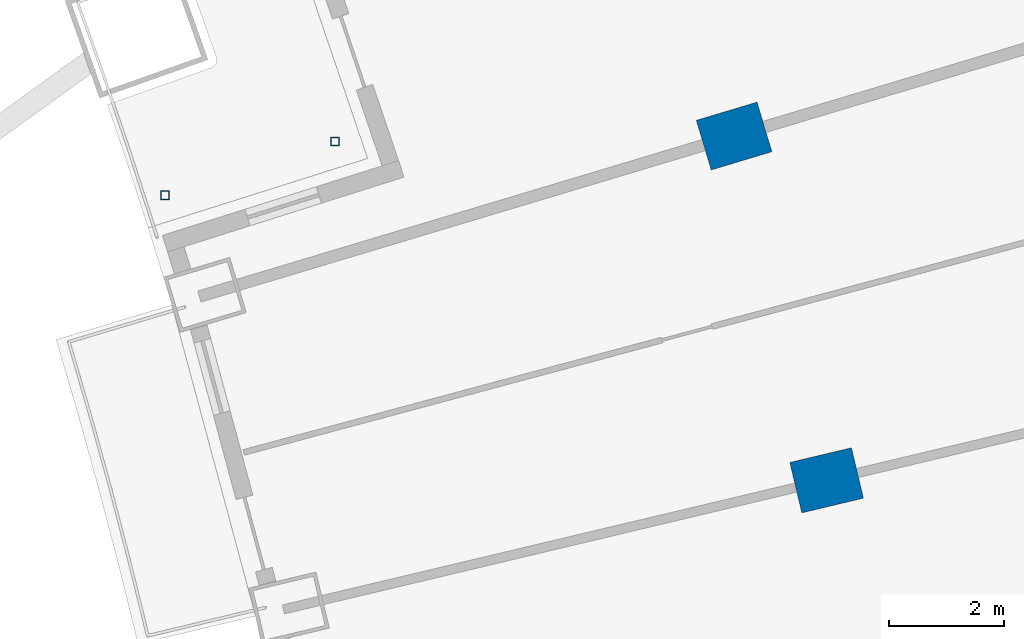
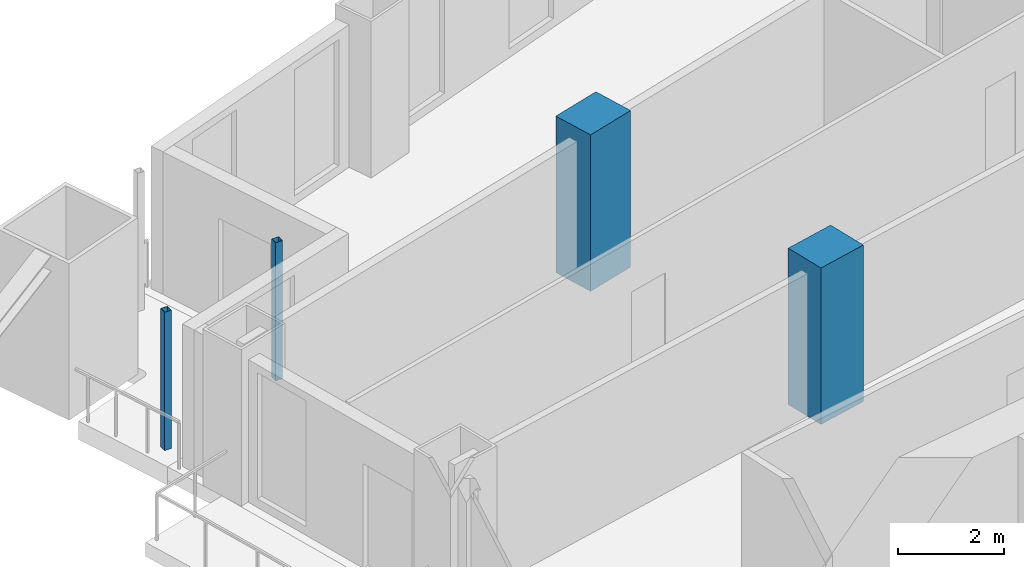
# One storey, part 7 of 25: 4 columns.
"""IFC4 building model written with IfcOpenShell, lengths in metres."""

from ifc_helpers import new_model, si_unit, direction, frame, origin, origin_2d, place, context, subcontext, project, spatial, rectangle, hollow_rectangle, extrude, material, material_profile, profile_set, type_object, element, save


model = new_model("IFC4")

# Units and contexts
model_context = context("Model", 3, precision=1e-05, world=origin(), true_north=direction((0.0, 1.0)))
body_context = subcontext(model_context, "Body", "Model", "MODEL_VIEW")
ifc_project = project(units=[si_unit("LENGTHUNIT", "METRE"), si_unit("AREAUNIT", "SQUARE_METRE"), si_unit("VOLUMEUNIT", "CUBIC_METRE"), si_unit("PLANEANGLEUNIT", "RADIAN"), si_unit("MASSUNIT", "GRAM", prefix="KILO")], contexts=[model_context])

# Site, building, storey
site_placement = place(None, origin())
site = spatial("IfcSite", under=ifc_project, at=site_placement, CompositionType="ELEMENT")
building_placement = place(site_placement, origin())
building = spatial("IfcBuilding", under=site, at=building_placement, Name="Alderwake Tower", CompositionType="ELEMENT")
storey_placement = place(building_placement, frame((0.0, 0.0, 46.39990234375)))
storey = spatial("IfcBuildingStorey", under=building, at=storey_placement, Name="L10", CompositionType="ELEMENT", Elevation=46.39990234375)

# Columns
ifc_material_1 = material(Name="Concrete C70/85", Category="concrete")
ifc_material_profile_1 = material_profile(ifc_material_1, rectangle(XDim=0.89990234375, YDim=1.10009765625, at=origin_2d()), Name="RC 1100X900")
ifc_profile_set_1 = profile_set([ifc_material_profile_1], Name="Concrete C70/85")
column_type_1 = type_object("IfcColumnType", Name="Interior column Z1", PredefinedType="COLUMN", material=ifc_profile_set_1)
for number, where, z_axis, x_axis, name in (
    (1, (23.322021484375, 85.555908203125, 0.0), (0.0, 0.0, 1.0), (-0.231221547198, 0.972901123502, 0.0), "Column R11-C1"),
    (2, (21.714599609375, 91.53759765625, 0.0), (0.0, 0.0, 1.0), (-0.287549418125, 0.957765802342, 0.0), "Column R12-C1"),
):
    element("IfcColumn", number, at=place(storey_placement, frame(where, z_axis=z_axis, x_axis=x_axis)), inside=storey, type_object=column_type_1, Name=name, PredefinedType="COLUMN", context=body_context, shape_type="SweptSolid", body=[
        extrude(rectangle(XDim=0.89990234375, YDim=1.10009765625, at=origin_2d()), origin(), (0.0, 0.0, 1.0), 3.60009765625),
    ])
ifc_material_2 = material(Name="Steel ASTM A500 Grade C", Category="steel")
ifc_material_profile_2 = material_profile(ifc_material_2, hollow_rectangle(XDim=0.15234375, YDim=0.15234375, WallThickness=0.0087890625, at=origin_2d()), Name="HSS6X6X3/8")
ifc_profile_set_2 = profile_set([ifc_material_profile_2], Name="Steel ASTM A500 Grade C")
column_type_2 = type_object("IfcColumnType", Name="Light post HSS6X6X3/8", PredefinedType="COLUMN", material=ifc_profile_set_2)
for number, where, z_axis, x_axis, name in (
    (3, (11.82568359375, 90.507080078125, 0.0), (0.0, 0.0, 1.0), (1.0, 0.0, 0.0), "Terrace post RN1"),
    (4, (14.781494140625, 91.441650390625, 0.0), (0.0, 0.0, 1.0), (1.0, 0.0, 0.0), "Terrace post RN3"),
):
    element("IfcColumn", number, at=place(storey_placement, frame(where, z_axis=z_axis, x_axis=x_axis)), inside=storey, type_object=column_type_2, Name=name, PredefinedType="COLUMN", context=body_context, shape_type="SweptSolid", body=[
        extrude(hollow_rectangle(XDim=0.15234375, YDim=0.15234375, WallThickness=0.0087890625, at=origin_2d()), origin(), (0.0, 0.0, 1.0), 3.18017578125),
    ])

save(model, "model.ifc")
